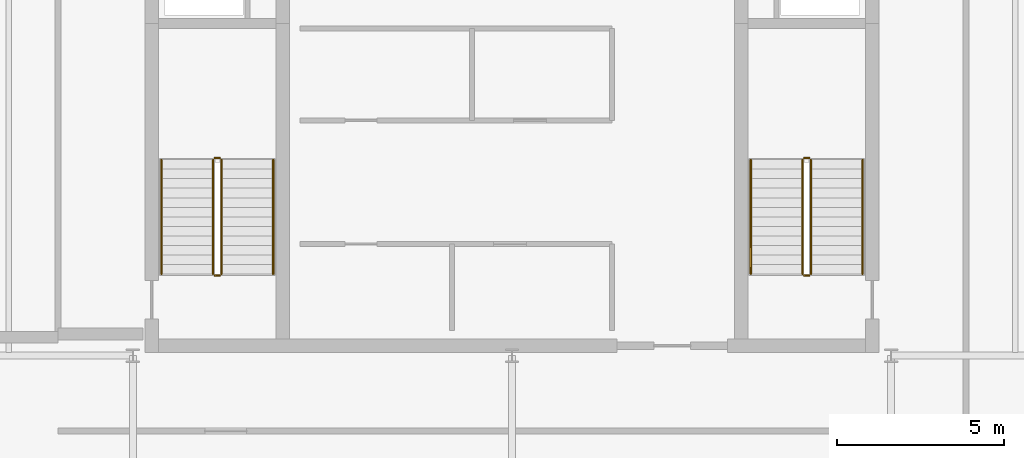
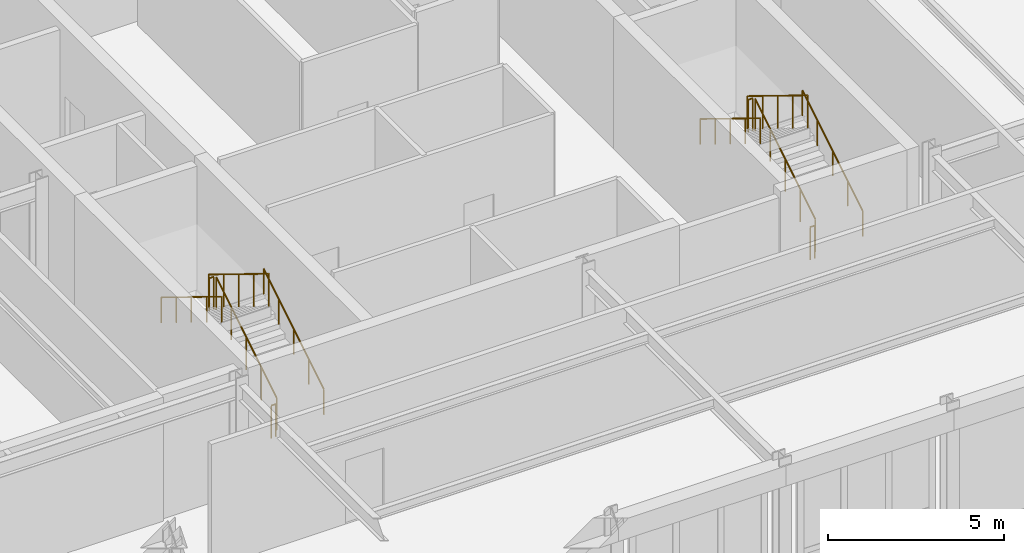
# One storey, part 9 of 9: 12 railings.
"""IFC4 building model written with IfcOpenShell, lengths in metres."""

from ifc_helpers import new_model, si_unit, direction, frame, origin, origin_2d, place, context, subcontext, project, spatial, circle, extrude, material, type_object, element, save


model = new_model("IFC4")

# Units and contexts
model_context = context("Model", 3, precision=1e-05, world=origin(), true_north=direction((0.0, 1.0)))
body_context = subcontext(model_context, "Body", "Model", "MODEL_VIEW")
ifc_project = project(units=[si_unit("LENGTHUNIT", "METRE"), si_unit("AREAUNIT", "SQUARE_METRE"), si_unit("VOLUMEUNIT", "CUBIC_METRE"), si_unit("PLANEANGLEUNIT", "RADIAN"), si_unit("MASSUNIT", "GRAM", prefix="KILO")], contexts=[model_context])

# Site, building, storey
site_placement = place(None, origin())
site = spatial("IfcSite", under=ifc_project, at=site_placement, CompositionType="ELEMENT")
building_placement = place(site_placement, origin())
building = spatial("IfcBuilding", under=site, at=building_placement, Name="Nhamokura Convention Tower", CompositionType="ELEMENT")
storey_placement = place(building_placement, frame((0.0, 0.0, 317.800048828125)))
storey = spatial("IfcBuildingStorey", under=building, at=storey_placement, Name="L78", CompositionType="ELEMENT", Elevation=317.800048828125)

# Railings
ifc_material_1 = material(Name="Anodised bronze stainless steel", Category="steel")
railing_type_1 = type_object("IfcRailingType", Name="StairWallHandrail_900", PredefinedType="HANDRAIL", material=ifc_material_1)
railing_1_placement = place(storey_placement, frame((24.85009765625, 23.10009765625, 0.175048828125)))
element("IfcRailing", 1, at=railing_1_placement, inside=storey, type_object=railing_type_1, Name="L78 ST-01 stair handrail 1", PredefinedType="HANDRAIL", context=body_context, shape_type="SweptSolid", body=[
    extrude(circle(Radius=0.02392578125, at=origin_2d()), frame((0.0, 0.0, 0.8759765625), z_axis=(0.0, 0.852182171552, 0.523245206847), x_axis=(-1.0, 0.0, 0.0)), (0.0, 0.0, 1.0), 4.01318359375),
    extrude(circle(Radius=0.02099609375, at=origin_2d()), origin(), (0.0, 0.0, 1.0), 0.851806640625),
    extrude(circle(Radius=0.02099609375, at=origin_2d()), frame((0.0, 0.85498046875, 0.52490234375)), (0.0, 0.0, 1.0), 0.851806640625),
    extrude(circle(Radius=0.02099609375, at=origin_2d()), frame((0.0, 1.7099609375, 1.0498046875)), (0.0, 0.0, 1.0), 0.851806640625),
    extrude(circle(Radius=0.02099609375, at=origin_2d()), frame((0.0, 2.56494140625, 1.574951171875)), (0.0, 0.0, 1.0), 0.851806640625),
    extrude(circle(Radius=0.02099609375, at=origin_2d()), frame((0.0, 3.419921875, 2.099853515625)), (0.0, 0.0, 1.0), 0.851806640625),
])
railing_2_placement = place(storey_placement, frame((21.5, 26.52001953125, 2.449951171875)))
element("IfcRailing", 2, at=railing_2_placement, inside=storey, type_object=railing_type_1, Name="L78 ST-01 stair handrail 2", PredefinedType="HANDRAIL", context=body_context, shape_type="SweptSolid", body=[
    extrude(circle(Radius=0.02392578125, at=origin_2d()), frame((0.0, 0.0, 0.8759765625), z_axis=(0.0, -0.852155044755, 0.523289384279), x_axis=(1.0, 0.0, 0.0)), (0.0, 0.0, 1.0), 4.01318359375),
    extrude(circle(Radius=0.02099609375, at=origin_2d()), origin(), (0.0, 0.0, 1.0), 0.851806640625),
    extrude(circle(Radius=0.02099609375, at=origin_2d()), frame((0.0, -0.85498046875, 0.52490234375)), (0.0, 0.0, 1.0), 0.851806640625),
    extrude(circle(Radius=0.02099609375, at=origin_2d()), frame((0.0, -1.7099609375, 1.050048828125)), (0.0, 0.0, 1.0), 0.851806640625),
    extrude(circle(Radius=0.02099609375, at=origin_2d()), frame((0.0, -2.56494140625, 1.5751953125)), (0.0, 0.0, 1.0), 0.851806640625),
    extrude(circle(Radius=0.02099609375, at=origin_2d()), frame((0.0, -3.419921875, 2.10009765625)), (0.0, 0.0, 1.0), 0.851806640625),
])
railing_3_placement = place(storey_placement, frame((42.5, 23.10009765625, 0.175048828125)))
element("IfcRailing", 3, at=railing_3_placement, inside=storey, type_object=railing_type_1, Name="L78 ST-02 stair handrail 1", PredefinedType="HANDRAIL", context=body_context, shape_type="SweptSolid", body=[
    extrude(circle(Radius=0.02392578125, at=origin_2d()), frame((0.0, 0.0, 0.8759765625), z_axis=(0.0, 0.852182171552, 0.523245206847), x_axis=(-1.0, 0.0, 0.0)), (0.0, 0.0, 1.0), 4.01318359375),
    extrude(circle(Radius=0.02099609375, at=origin_2d()), origin(), (0.0, 0.0, 1.0), 0.851806640625),
    extrude(circle(Radius=0.02099609375, at=origin_2d()), frame((0.0, 0.85498046875, 0.52490234375)), (0.0, 0.0, 1.0), 0.851806640625),
    extrude(circle(Radius=0.02099609375, at=origin_2d()), frame((0.0, 1.7099609375, 1.0498046875)), (0.0, 0.0, 1.0), 0.851806640625),
    extrude(circle(Radius=0.02099609375, at=origin_2d()), frame((0.0, 2.56494140625, 1.574951171875)), (0.0, 0.0, 1.0), 0.851806640625),
    extrude(circle(Radius=0.02099609375, at=origin_2d()), frame((0.0, 3.419921875, 2.099853515625)), (0.0, 0.0, 1.0), 0.851806640625),
])
railing_4_placement = place(storey_placement, frame((39.14990234375, 26.52001953125, 2.449951171875)))
element("IfcRailing", 4, at=railing_4_placement, inside=storey, type_object=railing_type_1, Name="L78 ST-02 stair handrail 2", PredefinedType="HANDRAIL", context=body_context, shape_type="SweptSolid", body=[
    extrude(circle(Radius=0.02392578125, at=origin_2d()), frame((0.0, 0.0, 0.8759765625), z_axis=(0.0, -0.852155044755, 0.523289384279), x_axis=(1.0, 0.0, 0.0)), (0.0, 0.0, 1.0), 4.01318359375),
    extrude(circle(Radius=0.02099609375, at=origin_2d()), origin(), (0.0, 0.0, 1.0), 0.851806640625),
    extrude(circle(Radius=0.02099609375, at=origin_2d()), frame((0.0, -0.85498046875, 0.52490234375)), (0.0, 0.0, 1.0), 0.851806640625),
    extrude(circle(Radius=0.02099609375, at=origin_2d()), frame((0.0, -1.7099609375, 1.050048828125)), (0.0, 0.0, 1.0), 0.851806640625),
    extrude(circle(Radius=0.02099609375, at=origin_2d()), frame((0.0, -2.56494140625, 1.5751953125)), (0.0, 0.0, 1.0), 0.851806640625),
    extrude(circle(Radius=0.02099609375, at=origin_2d()), frame((0.0, -3.419921875, 2.10009765625)), (0.0, 0.0, 1.0), 0.851806640625),
])
ifc_material_2 = material(Name="Painted tubular steel", Category="steel")
railing_type_2 = type_object("IfcRailingType", Name="StairWellGuardrail_1150", PredefinedType="GUARDRAIL", material=ifc_material_2)
railing_5_placement = place(storey_placement, frame((23.300048828125, 23.10009765625, 0.175048828125)))
element("IfcRailing", 5, at=railing_5_placement, inside=storey, type_object=railing_type_2, Name="L78 ST-01 stair guard 1", PredefinedType="GUARDRAIL", context=body_context, shape_type="SweptSolid", body=[
    extrude(circle(Radius=0.02392578125, at=origin_2d()), frame((0.0, 0.0, 1.1259765625), z_axis=(0.0, 0.852182171552, 0.523245206847), x_axis=(-1.0, 0.0, 0.0)), (0.0, 0.0, 1.0), 4.01318359375),
    extrude(circle(Radius=0.02099609375, at=origin_2d()), origin(), (0.0, 0.0, 1.0), 1.101806640625),
    extrude(circle(Radius=0.02099609375, at=origin_2d()), frame((0.0, 0.85498046875, 0.52490234375)), (0.0, 0.0, 1.0), 1.101806640625),
    extrude(circle(Radius=0.02099609375, at=origin_2d()), frame((0.0, 1.7099609375, 1.0498046875)), (0.0, 0.0, 1.0), 1.101806640625),
    extrude(circle(Radius=0.02099609375, at=origin_2d()), frame((0.0, 2.56494140625, 1.574951171875)), (0.0, 0.0, 1.0), 1.101806640625),
    extrude(circle(Radius=0.02099609375, at=origin_2d()), frame((0.0, 3.419921875, 2.099853515625)), (0.0, 0.0, 1.0), 1.101806640625),
])
railing_6_placement = place(storey_placement, frame((23.25, 26.570068359375, 2.27490234375)))
element("IfcRailing", 6, at=railing_6_placement, inside=storey, type_object=railing_type_2, Name="L78 ST-01 stair guard 2", PredefinedType="GUARDRAIL", context=body_context, shape_type="SweptSolid", body=[
    extrude(circle(Radius=0.02392578125, at=origin_2d()), frame((0.0, 0.0, 1.1259765625), z_axis=(-1.0, 0.0, 0.0), x_axis=(0.0, -1.0, 0.0)), (0.0, 0.0, 1.0), 0.14990234375),
    extrude(circle(Radius=0.02099609375, at=origin_2d()), origin(), (0.0, 0.0, 1.0), 1.101806640625),
    extrude(circle(Radius=0.02099609375, at=origin_2d()), frame((-0.14990234375, 0.0, 0.0)), (0.0, 0.0, 1.0), 1.101806640625),
])
railing_7_placement = place(storey_placement, frame((23.050048828125, 26.52001953125, 2.449951171875)))
element("IfcRailing", 7, at=railing_7_placement, inside=storey, type_object=railing_type_2, Name="L78 ST-01 stair guard 3", PredefinedType="GUARDRAIL", context=body_context, shape_type="SweptSolid", body=[
    extrude(circle(Radius=0.02392578125, at=origin_2d()), frame((0.0, 0.0, 1.1259765625), z_axis=(0.0, -0.852155044755, 0.523289384279), x_axis=(1.0, 0.0, 0.0)), (0.0, 0.0, 1.0), 4.01318359375),
    extrude(circle(Radius=0.02099609375, at=origin_2d()), origin(), (0.0, 0.0, 1.0), 1.101806640625),
    extrude(circle(Radius=0.02099609375, at=origin_2d()), frame((0.0, -0.85498046875, 0.52490234375)), (0.0, 0.0, 1.0), 1.101806640625),
    extrude(circle(Radius=0.02099609375, at=origin_2d()), frame((0.0, -1.7099609375, 1.050048828125)), (0.0, 0.0, 1.0), 1.101806640625),
    extrude(circle(Radius=0.02099609375, at=origin_2d()), frame((0.0, -2.56494140625, 1.5751953125)), (0.0, 0.0, 1.0), 1.101806640625),
    extrude(circle(Radius=0.02099609375, at=origin_2d()), frame((0.0, -3.419921875, 2.10009765625)), (0.0, 0.0, 1.0), 1.101806640625),
])
railing_8_placement = place(storey_placement, frame((23.25, 23.050048828125, 0.0)))
element("IfcRailing", 8, at=railing_8_placement, inside=storey, type_object=railing_type_2, Name="L78 ST-01 stair guard 4", PredefinedType="GUARDRAIL", context=body_context, shape_type="SweptSolid", body=[
    extrude(circle(Radius=0.02392578125, at=origin_2d()), frame((0.0, 0.0, 1.1259765625), z_axis=(-1.0, 0.0, 0.0), x_axis=(0.0, -1.0, 0.0)), (0.0, 0.0, 1.0), 0.14990234375),
    extrude(circle(Radius=0.02099609375, at=origin_2d()), origin(), (0.0, 0.0, 1.0), 1.101806640625),
    extrude(circle(Radius=0.02099609375, at=origin_2d()), frame((-0.14990234375, 0.0, 0.0)), (0.0, 0.0, 1.0), 1.101806640625),
])
railing_9_placement = place(storey_placement, frame((40.949951171875, 23.10009765625, 0.175048828125)))
element("IfcRailing", 9, at=railing_9_placement, inside=storey, type_object=railing_type_2, Name="L78 ST-02 stair guard 1", PredefinedType="GUARDRAIL", context=body_context, shape_type="SweptSolid", body=[
    extrude(circle(Radius=0.02392578125, at=origin_2d()), frame((0.0, 0.0, 1.1259765625), z_axis=(0.0, 0.852182171552, 0.523245206847), x_axis=(-1.0, 0.0, 0.0)), (0.0, 0.0, 1.0), 4.01318359375),
    extrude(circle(Radius=0.02099609375, at=origin_2d()), origin(), (0.0, 0.0, 1.0), 1.101806640625),
    extrude(circle(Radius=0.02099609375, at=origin_2d()), frame((0.0, 0.85498046875, 0.52490234375)), (0.0, 0.0, 1.0), 1.101806640625),
    extrude(circle(Radius=0.02099609375, at=origin_2d()), frame((0.0, 1.7099609375, 1.0498046875)), (0.0, 0.0, 1.0), 1.101806640625),
    extrude(circle(Radius=0.02099609375, at=origin_2d()), frame((0.0, 2.56494140625, 1.574951171875)), (0.0, 0.0, 1.0), 1.101806640625),
    extrude(circle(Radius=0.02099609375, at=origin_2d()), frame((0.0, 3.419921875, 2.099853515625)), (0.0, 0.0, 1.0), 1.101806640625),
])
railing_10_placement = place(storey_placement, frame((40.89990234375, 26.570068359375, 2.27490234375)))
element("IfcRailing", 10, at=railing_10_placement, inside=storey, type_object=railing_type_2, Name="L78 ST-02 stair guard 2", PredefinedType="GUARDRAIL", context=body_context, shape_type="SweptSolid", body=[
    extrude(circle(Radius=0.02392578125, at=origin_2d()), frame((0.0, 0.0, 1.1259765625), z_axis=(-1.0, 0.0, 0.0), x_axis=(0.0, -1.0, 0.0)), (0.0, 0.0, 1.0), 0.14990234375),
    extrude(circle(Radius=0.02099609375, at=origin_2d()), origin(), (0.0, 0.0, 1.0), 1.101806640625),
    extrude(circle(Radius=0.02099609375, at=origin_2d()), frame((-0.14990234375, 0.0, 0.0)), (0.0, 0.0, 1.0), 1.101806640625),
])
railing_11_placement = place(storey_placement, frame((40.699951171875, 26.52001953125, 2.449951171875)))
element("IfcRailing", 11, at=railing_11_placement, inside=storey, type_object=railing_type_2, Name="L78 ST-02 stair guard 3", PredefinedType="GUARDRAIL", context=body_context, shape_type="SweptSolid", body=[
    extrude(circle(Radius=0.02392578125, at=origin_2d()), frame((0.0, 0.0, 1.1259765625), z_axis=(0.0, -0.852155044755, 0.523289384279), x_axis=(1.0, 0.0, 0.0)), (0.0, 0.0, 1.0), 4.01318359375),
    extrude(circle(Radius=0.02099609375, at=origin_2d()), origin(), (0.0, 0.0, 1.0), 1.101806640625),
    extrude(circle(Radius=0.02099609375, at=origin_2d()), frame((0.0, -0.85498046875, 0.52490234375)), (0.0, 0.0, 1.0), 1.101806640625),
    extrude(circle(Radius=0.02099609375, at=origin_2d()), frame((0.0, -1.7099609375, 1.050048828125)), (0.0, 0.0, 1.0), 1.101806640625),
    extrude(circle(Radius=0.02099609375, at=origin_2d()), frame((0.0, -2.56494140625, 1.5751953125)), (0.0, 0.0, 1.0), 1.101806640625),
    extrude(circle(Radius=0.02099609375, at=origin_2d()), frame((0.0, -3.419921875, 2.10009765625)), (0.0, 0.0, 1.0), 1.101806640625),
])
railing_12_placement = place(storey_placement, frame((40.89990234375, 23.050048828125, 0.0)))
element("IfcRailing", 12, at=railing_12_placement, inside=storey, type_object=railing_type_2, Name="L78 ST-02 stair guard 4", PredefinedType="GUARDRAIL", context=body_context, shape_type="SweptSolid", body=[
    extrude(circle(Radius=0.02392578125, at=origin_2d()), frame((0.0, 0.0, 1.1259765625), z_axis=(-1.0, 0.0, 0.0), x_axis=(0.0, -1.0, 0.0)), (0.0, 0.0, 1.0), 0.14990234375),
    extrude(circle(Radius=0.02099609375, at=origin_2d()), origin(), (0.0, 0.0, 1.0), 1.101806640625),
    extrude(circle(Radius=0.02099609375, at=origin_2d()), frame((-0.14990234375, 0.0, 0.0)), (0.0, 0.0, 1.0), 1.101806640625),
])

save(model, "model.ifc")
